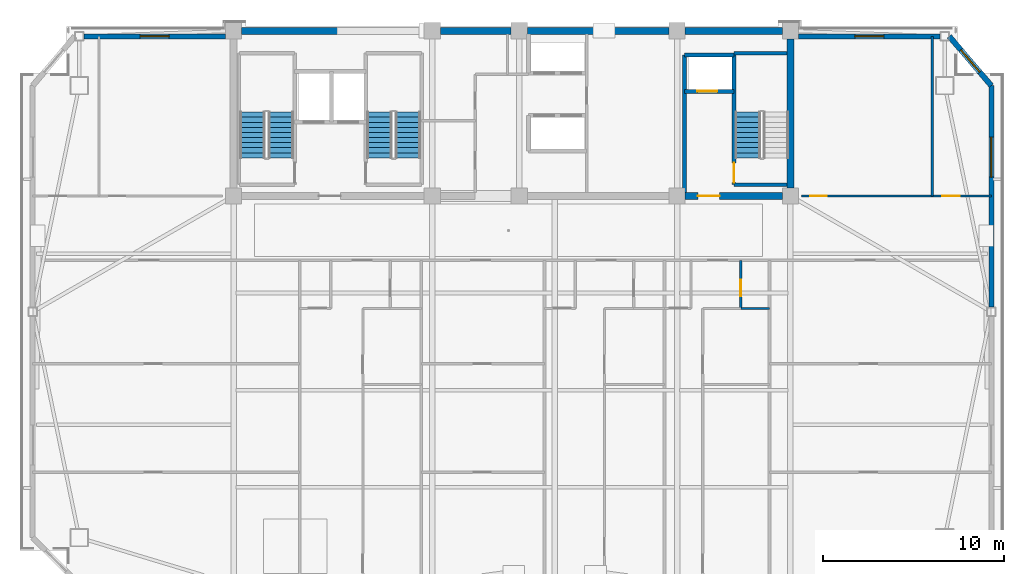
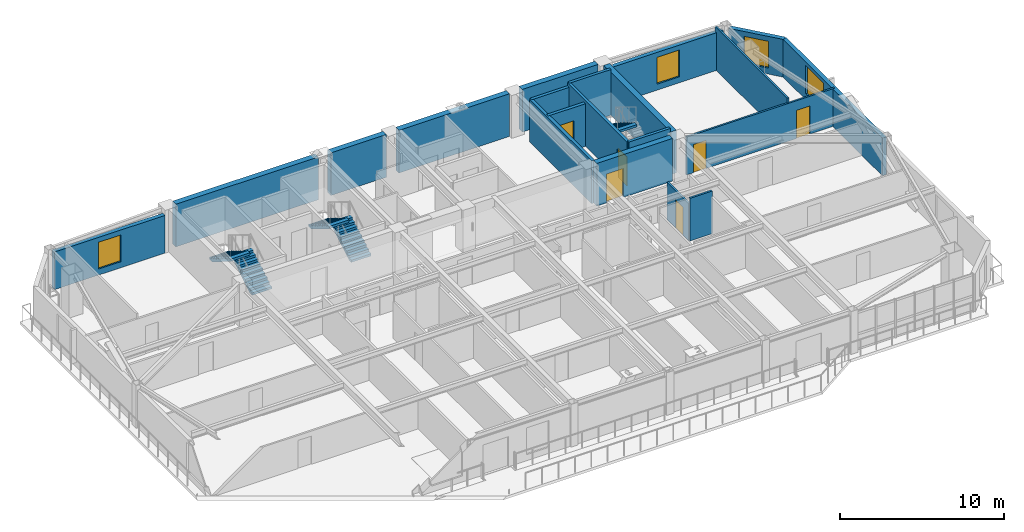
# One storey, part 11 of 18: 20 walls, 6 doors, 5 stair flights, 4 windows, 10 openings, 3 elements without a shape of their own.
"""IFC4 building model written with IfcOpenShell, lengths in metres."""

from ifc_helpers import new_model, si_unit, direction, frame, frame_2d, origin, place, context, subcontext, project, spatial, polyline, rectangle, outline, extrude, source, transform, mapped, material, layer, layer_set, type_object, element, fill, aggregate, save


model = new_model("IFC4")

# Units and contexts
model_context = context("Model", 3, precision=1e-05, world=origin(), true_north=direction((0.0, 1.0)))
body_context = subcontext(model_context, "Body", "Model", "MODEL_VIEW")
ifc_project = project(units=[si_unit("LENGTHUNIT", "METRE"), si_unit("AREAUNIT", "SQUARE_METRE"), si_unit("VOLUMEUNIT", "CUBIC_METRE"), si_unit("PLANEANGLEUNIT", "RADIAN"), si_unit("MASSUNIT", "GRAM", prefix="KILO")], contexts=[model_context])

# Site, building, storey
site_placement = place(None, origin())
site = spatial("IfcSite", under=ifc_project, at=site_placement, CompositionType="ELEMENT")
building_placement = place(site_placement, origin())
building = spatial("IfcBuilding", under=site, at=building_placement, Name="Giltprow Tower", CompositionType="ELEMENT")
storey_placement = place(building_placement, frame((0.0, 0.0, 262.10009765625)))
storey = spatial("IfcBuildingStorey", under=building, at=storey_placement, Name="L67", CompositionType="ELEMENT", Elevation=262.10009765625)

# Wall, opening, window
ifc_material_1 = material(Name="Precast concrete C40", Category="concrete")
ifc_layer_1 = layer(ifc_material_1, 0.300048828125, Name="Precast concrete C40")
ifc_layer_set_1 = layer_set([ifc_layer_1], Name="Precast concrete C40")
wall_type_1 = type_object("IfcWallType", Name="EW-NOTCH-CHAMFER-300", PredefinedType="SOLIDWALL", material=ifc_layer_set_1)
wall_1_placement = place(storey_placement, frame((61.6220703125, 43.530029296875, 0.0), z_axis=(0.0, 0.0, 1.0), x_axis=(-0.648803559951, 0.760955938669, 0.0)))
wall_1 = element("IfcWall", 1, at=wall_1_placement, inside=storey, type_object=wall_type_1, Name="L67 Corner Notch Wall NE", PredefinedType="SOLIDWALL", context=body_context, shape_type="SweptSolid", body=[
    extrude(rectangle(XDim=3.574462890625, YDim=0.300048828125, at=frame_2d((1.787109375, 0.0))), origin(), (0.0, 0.0, 1.0), 2.81494140625),
])
opening_1_placement = place(wall_1_placement, frame((0.987060546875, 0.0, 0.449951171875)))
opening_1 = element("IfcOpeningElement", 2, at=opening_1_placement, cuts=wall_1, Name="Opening WN17", PredefinedType="OPENING", context=body_context, shape_type="SweptSolid", body=[
    extrude(rectangle(XDim=1.60009765625, YDim=2.0, at=frame_2d((0.800048828125, 1.0))), frame((0.0, 0.159912109375, 0.0), z_axis=(0.0, -1.0, 0.0), x_axis=(1.0, 0.0, 0.0)), (0.0, 0.0, 1.0), 0.320068359375),
])
ifc_material_2 = material(Name="Insulated glass", Category="glass")
window_type_1 = type_object("IfcWindowType", Name="WN-COR-1600x2000", PartitioningType="SINGLE_PANEL", PredefinedType="WINDOW", material=ifc_material_2)
shared_shape_1 = source(origin(), body_context, "Body", "SweptSolid", [
    extrude(rectangle(XDim=1.60009765625, YDim=2.0, at=frame_2d((0.800048828125, 1.0))), frame((0.0, 0.030029296875, 0.0), z_axis=(0.0, -1.0, 0.0), x_axis=(1.0, 0.0, 0.0)), (0.0, 0.0, 1.0), 0.06005859375),
])
window_1_placement = place(opening_1_placement, origin())
window_1 = element("IfcWindow", 3, at=window_1_placement, inside=storey, type_object=window_type_1, Name="L67 Corner Notch Window NE", OverallHeight=2.0, OverallWidth=1.60009765625, PartitioningType="SINGLE_PANEL", PredefinedType="WINDOW", context=body_context, shape_type="MappedRepresentation", body=[
    mapped(shared_shape_1, transform((0.0, 0.0, 0.0), x_axis=(1.0, 0.0, 0.0), y_axis=(0.0, 1.0, 0.0), z_axis=(0.0, 0.0, 1.0), scale=1.0)),
])
fill(opening_1, window_1)

ifc_layer_2 = layer(ifc_material_1, 0.280029296875, Name="Precast concrete C40")
ifc_layer_set_2 = layer_set([ifc_layer_2], Name="Precast concrete C40")
wall_type_2 = type_object("IfcWallType", Name="EW-TOW-BRONZE-280", PredefinedType="SOLIDWALL", material=ifc_layer_set_2)
wall_2_placement = place(storey_placement, frame((61.6220703125, 31.322021484375, 0.0), z_axis=(0.0, 0.0, 1.0), x_axis=(0.0, 1.0, 0.0)))
wall_2 = element("IfcWall", 4, at=wall_2_placement, inside=storey, type_object=wall_type_2, Name="L67 E Wing Masonry Wall 2", PredefinedType="SOLIDWALL", context=body_context, shape_type="SweptSolid", body=[
    extrude(rectangle(XDim=12.2080078125, YDim=0.280029296875, at=frame_2d((6.10400390625, 0.0))), origin(), (0.0, 0.0, 1.0), 2.81494140625),
])
opening_2_placement = place(wall_2_placement, frame((7.1708984375, 0.0, 0.449951171875)))
opening_2 = element("IfcOpeningElement", 5, at=opening_2_placement, cuts=wall_2, Name="Opening WN27", PredefinedType="OPENING", context=body_context, shape_type="SweptSolid", body=[
    extrude(rectangle(XDim=2.199951171875, YDim=2.10009765625, at=frame_2d((1.10009765625, 1.050048828125))), frame((0.0, 0.14990234375, 0.0), z_axis=(0.0, -1.0, 0.0), x_axis=(1.0, 0.0, 0.0)), (0.0, 0.0, 1.0), 0.300048828125),
])
window_type_2 = type_object("IfcWindowType", Name="WN-RES-2200x2100", PartitioningType="TRIPLE_PANEL_VERTICAL", PredefinedType="WINDOW", material=ifc_material_2)
shared_shape_2 = source(origin(), body_context, "Body", "SweptSolid", [
    extrude(rectangle(XDim=2.199951171875, YDim=2.10009765625, at=frame_2d((1.10009765625, 1.050048828125))), frame((0.0, 0.030029296875, 0.0), z_axis=(0.0, -1.0, 0.0), x_axis=(1.0, 0.0, 0.0)), (0.0, 0.0, 1.0), 0.06005859375),
])
window_2_placement = place(opening_2_placement, origin())
window_2 = element("IfcWindow", 6, at=window_2_placement, inside=storey, type_object=window_type_2, Name="L67 E Wing Window 2-1", OverallHeight=2.10009765625, OverallWidth=2.199951171875, PartitioningType="SINGLE_PANEL", PredefinedType="WINDOW", context=body_context, shape_type="MappedRepresentation", body=[
    mapped(shared_shape_2, transform((0.0, 0.0, 0.0), x_axis=(1.0, 0.0, 0.0), y_axis=(0.0, 1.0, 0.0), z_axis=(0.0, 0.0, 1.0), scale=1.0)),
])
fill(opening_2, window_2)

wall_3_placement = place(storey_placement, frame((11.597900390625, 46.25, 0.0), z_axis=(0.0, 0.0, 1.0), x_axis=(1.0, 0.0, 0.0)))
wall_3 = element("IfcWall", 7, at=wall_3_placement, inside=storey, type_object=wall_type_2, Name="L67 North-West Wing Wall", PredefinedType="SOLIDWALL", context=body_context, shape_type="SweptSolid", body=[
    extrude(rectangle(XDim=7.802001953125, YDim=0.280029296875, at=frame_2d((3.90087890625, 0.0))), origin(), (0.0, 0.0, 1.0), 2.81494140625),
])
opening_3_placement = place(wall_3_placement, frame((3.10107421875, 0.0, 0.449951171875)))
opening_3 = element("IfcOpeningElement", 8, at=opening_3_placement, cuts=wall_3, Name="Opening WN17", PredefinedType="OPENING", context=body_context, shape_type="SweptSolid", body=[
    extrude(rectangle(XDim=1.60009765625, YDim=2.0, at=frame_2d((0.800048828125, 1.0))), frame((0.0, 0.14990234375, 0.0), z_axis=(0.0, -1.0, 0.0), x_axis=(1.0, 0.0, 0.0)), (0.0, 0.0, 1.0), 0.300048828125),
])
window_3_placement = place(opening_3_placement, origin())
window_3 = element("IfcWindow", 9, at=window_3_placement, inside=storey, type_object=window_type_1, Name="L67 North-West Window", OverallHeight=2.0, OverallWidth=1.60009765625, PartitioningType="SINGLE_PANEL", PredefinedType="WINDOW", context=body_context, shape_type="MappedRepresentation", body=[
    mapped(shared_shape_1, transform((0.0, 0.0, 0.0), x_axis=(1.0, 0.0, 0.0), y_axis=(0.0, 1.0, 0.0), z_axis=(0.0, 0.0, 1.0), scale=1.0)),
])
fill(opening_3, window_3)

wall_4_placement = place(storey_placement, frame((51.0, 46.25, 0.0), z_axis=(0.0, 0.0, 1.0), x_axis=(1.0, 0.0, 0.0)))
wall_4 = element("IfcWall", 10, at=wall_4_placement, inside=storey, type_object=wall_type_2, Name="L67 North-East Wing Wall", PredefinedType="SOLIDWALL", context=body_context, shape_type="SweptSolid", body=[
    extrude(rectangle(XDim=7.802978515625, YDim=0.280029296875, at=frame_2d((3.9013671875, 0.0))), origin(), (0.0, 0.0, 1.0), 2.81494140625),
])
opening_4_placement = place(wall_4_placement, frame((3.10107421875, 0.0, 0.449951171875)))
opening_4 = element("IfcOpeningElement", 11, at=opening_4_placement, cuts=wall_4, Name="Opening WN17", PredefinedType="OPENING", context=body_context, shape_type="SweptSolid", body=[
    extrude(rectangle(XDim=1.60009765625, YDim=2.0, at=frame_2d((0.800048828125, 1.0))), frame((0.0, 0.14990234375, 0.0), z_axis=(0.0, -1.0, 0.0), x_axis=(1.0, 0.0, 0.0)), (0.0, 0.0, 1.0), 0.300048828125),
])
window_4_placement = place(opening_4_placement, origin())
window_4 = element("IfcWindow", 12, at=window_4_placement, inside=storey, type_object=window_type_1, Name="L67 North-East Window", OverallHeight=2.0, OverallWidth=1.60009765625, PartitioningType="SINGLE_PANEL", PredefinedType="WINDOW", context=body_context, shape_type="MappedRepresentation", body=[
    mapped(shared_shape_1, transform((0.0, 0.0, 0.0), x_axis=(1.0, 0.0, 0.0), y_axis=(0.0, 1.0, 0.0), z_axis=(0.0, 0.0, 1.0), scale=1.0)),
])
fill(opening_4, window_4)

# Wall, opening, door
ifc_material_3 = material(Name="Concrete C40", Category="concrete")
ifc_layer_3 = layer(ifc_material_3, 0.219970703125, Name="Concrete C40")
ifc_layer_set_3 = layer_set([ifc_layer_3], Name="Concrete C40")
wall_type_3 = type_object("IfcWallType", Name="IW-SHAFT-220", PredefinedType="SOLIDWALL", material=ifc_layer_set_3)
wall_5_placement = place(storey_placement, frame((44.719970703125, 43.219970703125, 0.0), z_axis=(0.0, 0.0, 1.0), x_axis=(1.0, 0.0, 0.0)))
wall_5 = element("IfcWall", 13, at=wall_5_placement, inside=storey, type_object=wall_type_3, Name="L67 FFL2 Front Shaft Wall", PredefinedType="SOLIDWALL", context=body_context, shape_type="SweptSolid", body=[
    extrude(rectangle(XDim=2.719970703125, YDim=0.219970703125, at=frame_2d((1.35986328125, 0.0))), origin(), (0.0, 0.0, 1.0), 3.184814453125),
])
opening_5_placement = place(wall_5_placement, frame((0.699951171875, 0.0, 0.0)))
opening_5 = element("IfcOpeningElement", 14, at=opening_5_placement, cuts=wall_5, Name="Opening LD-11", PredefinedType="OPENING", context=body_context, shape_type="SweptSolid", body=[
    extrude(rectangle(XDim=1.10009765625, YDim=2.199951171875, at=frame_2d((0.550048828125, 1.10009765625))), frame((0.0, 0.119873046875, 0.0), z_axis=(0.0, -1.0, 0.0), x_axis=(1.0, 0.0, 0.0)), (0.0, 0.0, 1.0), 0.239990234375),
])
ifc_material_4 = material(Name="Stainless steel", Category="steel")
door_type_1 = type_object("IfcDoorType", Name="DR-LIFT-LD1100", OperationType="SLIDING_TO_LEFT", PredefinedType="DOOR", material=ifc_material_4)
shared_shape_3 = source(origin(), body_context, "Body", "SweptSolid", [
    extrude(rectangle(XDim=1.10009765625, YDim=2.199951171875, at=frame_2d((0.550048828125, 1.10009765625))), frame((0.0, 0.02490234375, 0.0), z_axis=(0.0, -1.0, 0.0), x_axis=(1.0, 0.0, 0.0)), (0.0, 0.0, 1.0), 0.050048828125),
])
door_1_placement = place(opening_5_placement, origin())
door_1 = element("IfcDoor", 15, at=door_1_placement, inside=storey, type_object=door_type_1, Name="L67 FFL2 Landing Door", OperationType="SLIDING_TO_LEFT", OverallHeight=2.199951171875, OverallWidth=1.10009765625, PredefinedType="DOOR", context=body_context, shape_type="MappedRepresentation", body=[
    mapped(shared_shape_3, transform((0.0, 0.0, 0.0), x_axis=(1.0, 0.0, 0.0), y_axis=(0.0, 1.0, 0.0), z_axis=(0.0, 0.0, 1.0), scale=1.0)),
])
fill(opening_5, door_1)

# Walls
wall_6_placement = place(storey_placement, frame((44.719970703125, 45.219970703125, 0.0), z_axis=(0.0, 0.0, 1.0), x_axis=(1.0, 0.0, 0.0)))
element("IfcWall", 16, at=wall_6_placement, inside=storey, type_object=wall_type_3, Name="L67 FFL2 Back Shaft Wall", PredefinedType="SOLIDWALL", context=body_context, shape_type="SweptSolid", body=[
    extrude(rectangle(XDim=2.719970703125, YDim=0.219970703125, at=frame_2d((1.35986328125, 0.0))), origin(), (0.0, 0.0, 1.0), 3.184814453125),
])
wall_7_placement = place(storey_placement, frame((44.719970703125, 37.6298828125, 0.0), z_axis=(0.0, 0.0, 1.0), x_axis=(0.0, 1.0, 0.0)))
element("IfcWall", 17, at=wall_7_placement, inside=storey, type_object=wall_type_3, Name="L67 East Firefighting Lobby West Wall", PredefinedType="SOLIDWALL", context=body_context, shape_type="SweptSolid", body=[
    extrude(rectangle(XDim=7.590087890625, YDim=0.219970703125, at=frame_2d((3.794921875, 0.0))), origin(), (0.0, 0.0, 1.0), 3.184814453125),
])

# Wall, opening, door
ifc_layer_4 = layer(ifc_material_3, 0.199951171875, Name="Concrete C40")
ifc_layer_set_4 = layer_set([ifc_layer_4], Name="Concrete C40")
wall_type_4 = type_object("IfcWallType", Name="IW-STAIR-200", PredefinedType="SOLIDWALL", material=ifc_layer_set_4)
wall_8_placement = place(storey_placement, frame((47.43994140625, 38.070068359375, 0.0), z_axis=(0.0, 0.0, 1.0), x_axis=(0.0, 1.0, 0.0)))
wall_8 = element("IfcWall", 18, at=wall_8_placement, inside=storey, type_object=wall_type_4, Name="L67 Stair ST-3 West Bearing Wall", PredefinedType="SOLIDWALL", context=body_context, shape_type="SweptSolid", body=[
    extrude(rectangle(XDim=7.25, YDim=0.199951171875, at=frame_2d((3.625, 0.0))), origin(), (0.0, 0.0, 1.0), 3.39990234375),
])
opening_6_placement = place(wall_8_placement, frame((0.110107421875, 0.0, 0.0)))
opening_6 = element("IfcOpeningElement", 19, at=opening_6_placement, cuts=wall_8, Name="Opening ID33", PredefinedType="OPENING", context=body_context, shape_type="SweptSolid", body=[
    extrude(rectangle(XDim=1.10009765625, YDim=2.14990234375, at=frame_2d((0.550048828125, 1.074951171875))), frame((0.0, 0.10986328125, 0.0), z_axis=(0.0, -1.0, 0.0), x_axis=(1.0, 0.0, 0.0)), (0.0, 0.0, 1.0), 0.219970703125),
])
ifc_material_5 = material(Name="Steel fire leaf", Category="steel")
door_type_2 = type_object("IfcDoorType", Name="DR-STAIR-1100", OperationType="SINGLE_SWING_LEFT", PredefinedType="DOOR", material=ifc_material_5)
shared_shape_4 = source(origin(), body_context, "Body", "SweptSolid", [
    extrude(rectangle(XDim=1.10009765625, YDim=2.14990234375, at=frame_2d((0.550048828125, 1.074951171875))), frame((0.0, 0.02490234375, 0.0), z_axis=(0.0, -1.0, 0.0), x_axis=(1.0, 0.0, 0.0)), (0.0, 0.0, 1.0), 0.050048828125),
])
door_2_placement = place(opening_6_placement, origin())
door_2 = element("IfcDoor", 20, at=door_2_placement, inside=storey, type_object=door_type_2, Name="L67 Stair ST-3 Fire Door", OperationType="SINGLE_SWING_RIGHT", OverallHeight=2.14990234375, OverallWidth=1.10009765625, PredefinedType="DOOR", context=body_context, shape_type="MappedRepresentation", body=[
    mapped(shared_shape_4, transform((0.0, 0.0, 0.0), x_axis=(1.0, 0.0, 0.0), y_axis=(0.0, 1.0, 0.0), z_axis=(0.0, 0.0, 1.0), scale=1.0)),
])
fill(opening_6, door_2)

# Walls
for number, where, z_axis, x_axis, name in (
    (21, (47.43994140625, 45.320068359375, 0.0), (0.0, 0.0, 1.0), (1.0, 0.0, 0.0), "L67 Stair ST-3 North Bearing Wall"),
    (22, (47.43994140625, 38.070068359375, 0.0), (0.0, 0.0, 1.0), (1.0, 0.0, 0.0), "L67 Stair ST-3 South Bearing Wall"),
):
    element("IfcWall", number, at=place(storey_placement, frame(where, z_axis=z_axis, x_axis=x_axis)), inside=storey, type_object=wall_type_4, Name=name, PredefinedType="SOLIDWALL", context=body_context, shape_type="SweptSolid", body=[
        extrude(rectangle(XDim=2.93017578125, YDim=0.199951171875, at=frame_2d((1.465087890625, 0.0))), origin(), (0.0, 0.0, 1.0), 3.39990234375),
    ])
ifc_material_6 = material(Name="Concrete C30", Category="concrete")
ifc_layer_5 = layer(ifc_material_6, 0.1298828125, Name="Concrete C30")
ifc_layer_set_5 = layer_set([ifc_layer_5], Name="Concrete C30")
wall_type_5 = type_object("IfcWallType", Name="IW-WET-130", PredefinedType="PARTITIONING", material=ifc_layer_set_5)
wall_9_placement = place(storey_placement, frame((47.820068359375, 31.25, 0.0), z_axis=(0.0, 0.0, 1.0), x_axis=(1.0, 0.0, 0.0)))
element("IfcWall", 23, at=wall_9_placement, inside=storey, type_object=wall_type_5, Name="L67 Unit 3 Bathroom South Wall", PredefinedType="PARTITIONING", context=body_context, shape_type="SweptSolid", body=[
    extrude(rectangle(XDim=1.579833984375, YDim=0.1298828125, at=frame_2d((0.7900390625, 0.0))), origin(), (0.0, 0.0, 1.0), 3.184814453125),
])

# Wall, opening, door
wall_10_placement = place(storey_placement, frame((47.820068359375, 31.25, 0.0), z_axis=(0.0, 0.0, 1.0), x_axis=(0.0, 1.0, 0.0)))
wall_10 = element("IfcWall", 24, at=wall_10_placement, inside=storey, type_object=wall_type_5, Name="L67 Unit 3 Bathroom West Wall", PredefinedType="PARTITIONING", context=body_context, shape_type="SweptSolid", body=[
    extrude(rectangle(XDim=2.64990234375, YDim=0.1298828125, at=frame_2d((1.324951171875, 0.0))), origin(), (0.0, 0.0, 1.0), 2.77001953125),
])
opening_7_placement = place(wall_10_placement, frame((0.669921875, 0.0, 0.0)))
opening_7 = element("IfcOpeningElement", 25, at=opening_7_placement, cuts=wall_10, Name="Opening ID15", PredefinedType="OPENING", context=body_context, shape_type="SweptSolid", body=[
    extrude(rectangle(XDim=0.89990234375, YDim=2.10009765625, at=frame_2d((0.449951171875, 1.050048828125))), frame((0.0, 0.074951171875, 0.0), z_axis=(0.0, -1.0, 0.0), x_axis=(1.0, 0.0, 0.0)), (0.0, 0.0, 1.0), 0.14990234375),
])
ifc_material_7 = material(Name="Engineered timber", Category="wood")
door_type_3 = type_object("IfcDoorType", Name="DR-WC-900", OperationType="SINGLE_SWING_LEFT", PredefinedType="DOOR", material=ifc_material_7)
shared_shape_5 = source(origin(), body_context, "Body", "SweptSolid", [
    extrude(rectangle(XDim=0.89990234375, YDim=2.10009765625, at=frame_2d((0.449951171875, 1.050048828125))), frame((0.0, 0.02490234375, 0.0), z_axis=(0.0, -1.0, 0.0), x_axis=(1.0, 0.0, 0.0)), (0.0, 0.0, 1.0), 0.050048828125),
])
door_3_placement = place(opening_7_placement, origin())
door_3 = element("IfcDoor", 26, at=door_3_placement, inside=storey, type_object=door_type_3, Name="L67 Unit 3 Bathroom Door", OperationType="SINGLE_SWING_RIGHT", OverallHeight=2.10009765625, OverallWidth=0.89990234375, PredefinedType="DOOR", context=body_context, shape_type="MappedRepresentation", body=[
    mapped(shared_shape_5, transform((0.0, 0.0, 0.0), x_axis=(1.0, 0.0, 0.0), y_axis=(0.0, 1.0, 0.0), z_axis=(0.0, 0.0, 1.0), scale=1.0)),
])
fill(opening_7, door_3)

# Wall, openings, doors
wall_11_placement = place(storey_placement, frame((51.14990234375, 37.449951171875, 0.0), z_axis=(0.0, 0.0, 1.0), x_axis=(1.0, 0.0, 0.0)))
wall_11 = element("IfcWall", 27, at=wall_11_placement, inside=storey, type_object=wall_type_5, Name="L67 NE Wing South Wall", PredefinedType="PARTITIONING", context=body_context, shape_type="SweptSolid", body=[
    extrude(rectangle(XDim=10.47216796875, YDim=0.1298828125, at=frame_2d((5.236083984375, 0.0))), origin(), (0.0, 0.0, 1.0), 2.81982421875),
])
opening_8_placement = place(wall_11_placement, frame((0.5, 0.0, 0.0)))
opening_8 = element("IfcOpeningElement", 28, at=opening_8_placement, cuts=wall_11, Name="Opening ID15", PredefinedType="OPENING", context=body_context, shape_type="SweptSolid", body=[
    extrude(rectangle(XDim=0.89990234375, YDim=2.10009765625, at=frame_2d((0.449951171875, 1.050048828125))), frame((0.0, 0.074951171875, 0.0), z_axis=(0.0, -1.0, 0.0), x_axis=(1.0, 0.0, 0.0)), (0.0, 0.0, 1.0), 0.14990234375),
])
opening_9_placement = place(wall_11_placement, frame((7.77001953125, 0.0, 0.0)))
opening_9 = element("IfcOpeningElement", 29, at=opening_9_placement, cuts=wall_11, Name="Opening ID11", PredefinedType="OPENING", context=body_context, shape_type="SweptSolid", body=[
    extrude(rectangle(XDim=0.949951171875, YDim=2.10009765625, at=frame_2d((0.47509765625, 1.050048828125))), frame((0.0, 0.074951171875, 0.0), z_axis=(0.0, -1.0, 0.0), x_axis=(1.0, 0.0, 0.0)), (0.0, 0.0, 1.0), 0.14990234375),
])
door_4_placement = place(opening_8_placement, origin())
door_4 = element("IfcDoor", 30, at=door_4_placement, inside=storey, type_object=door_type_3, Name="L67 East Wing Washroom Door", OperationType="SINGLE_SWING_RIGHT", OverallHeight=2.10009765625, OverallWidth=0.89990234375, PredefinedType="DOOR", context=body_context, shape_type="MappedRepresentation", body=[
    mapped(shared_shape_5, transform((0.0, 0.0, 0.0), x_axis=(1.0, 0.0, 0.0), y_axis=(0.0, 1.0, 0.0), z_axis=(0.0, 0.0, 1.0), scale=1.0)),
])
fill(opening_8, door_4)
door_type_4 = type_object("IfcDoorType", Name="DR-ROOM-950", OperationType="SINGLE_SWING_RIGHT", PredefinedType="DOOR", material=ifc_material_7)
shared_shape_6 = source(origin(), body_context, "Body", "SweptSolid", [
    extrude(rectangle(XDim=0.949951171875, YDim=2.10009765625, at=frame_2d((0.47509765625, 1.050048828125))), frame((0.0, 0.02490234375, 0.0), z_axis=(0.0, -1.0, 0.0), x_axis=(1.0, 0.0, 0.0)), (0.0, 0.0, 1.0), 0.050048828125),
])
door_5_placement = place(opening_9_placement, origin())
door_5 = element("IfcDoor", 31, at=door_5_placement, inside=storey, type_object=door_type_4, Name="L67 Residents Reading Lounge Door", OperationType="SINGLE_SWING_LEFT", OverallHeight=2.10009765625, OverallWidth=0.949951171875, PredefinedType="DOOR", context=body_context, shape_type="MappedRepresentation", body=[
    mapped(shared_shape_6, transform((0.0, 0.0, 0.0), x_axis=(1.0, 0.0, 0.0), y_axis=(0.0, 1.0, 0.0), z_axis=(0.0, 0.0, 1.0), scale=1.0)),
])
fill(opening_9, door_5)

# Walls
wall_12_placement = place(storey_placement, frame((58.3701171875, 37.449951171875, 0.0), z_axis=(0.0, 0.0, 1.0), x_axis=(0.0, 1.0, 0.0)))
element("IfcWall", 32, at=wall_12_placement, inside=storey, type_object=wall_type_5, Name="L67 NE Wing Divider", PredefinedType="PARTITIONING", context=body_context, shape_type="SweptSolid", body=[
    extrude(rectangle(XDim=8.800048828125, YDim=0.1298828125, at=frame_2d((4.39990234375, 0.0))), origin(), (0.0, 0.0, 1.0), 3.184814453125),
])
ifc_material_8 = material(Name="Concrete C45", Category="concrete")
ifc_layer_6 = layer(ifc_material_8, 0.39990234375, Name="Concrete C45")
ifc_layer_set_6 = layer_set([ifc_layer_6], Name="Concrete C45")
wall_type_6 = type_object("IfcWallType", Name="SW-EXT-400-C45", PredefinedType="SHEAR", material=ifc_layer_set_6)
wall_13_placement = place(storey_placement, frame((20.300048828125, 46.550048828125, 0.0), z_axis=(0.0, 0.0, 1.0), x_axis=(1.0, 0.0, 0.0)))
element("IfcWall", 33, at=wall_13_placement, inside=storey, type_object=wall_type_6, Name="L67 North Rear Core Shear Wall 1", PredefinedType="SHEAR", context=body_context, shape_type="SweptSolid", body=[
    extrude(rectangle(XDim=10.050048828125, YDim=0.39990234375, at=frame_2d((5.02490234375, 0.0))), origin(), (0.0, 0.0, 1.0), 3.184814453125),
])
wall_14_placement = place(storey_placement, frame((31.25, 46.550048828125, 0.0), z_axis=(0.0, 0.0, 1.0), x_axis=(1.0, 0.0, 0.0)))
element("IfcWall", 34, at=wall_14_placement, inside=storey, type_object=wall_type_6, Name="L67 North Rear Core Shear Wall 2", PredefinedType="SHEAR", context=body_context, shape_type="SweptSolid", body=[
    extrude(rectangle(XDim=3.89990234375, YDim=0.39990234375, at=frame_2d((1.949951171875, 0.0))), origin(), (0.0, 0.0, 1.0), 3.184814453125),
])
wall_15_placement = place(storey_placement, frame((36.050048828125, 46.550048828125, 0.0), z_axis=(0.0, 0.0, 1.0), x_axis=(1.0, 0.0, 0.0)))
element("IfcWall", 35, at=wall_15_placement, inside=storey, type_object=wall_type_6, Name="L67 North Rear Core Shear Wall 3", PredefinedType="SHEAR", context=body_context, shape_type="SweptSolid", body=[
    extrude(rectangle(XDim=7.800048828125, YDim=0.39990234375, at=frame_2d((3.89990234375, 0.0))), origin(), (0.0, 0.0, 1.0), 3.184814453125),
])
wall_16_placement = place(storey_placement, frame((44.75, 46.550048828125, 0.0), z_axis=(0.0, 0.0, 1.0), x_axis=(1.0, 0.0, 0.0)))
element("IfcWall", 36, at=wall_16_placement, inside=storey, type_object=wall_type_6, Name="L67 North Rear Core Shear Wall 4", PredefinedType="SHEAR", context=body_context, shape_type="SweptSolid", body=[
    extrude(rectangle(XDim=5.35009765625, YDim=0.39990234375, at=frame_2d((2.675048828125, 0.0))), origin(), (0.0, 0.0, 1.0), 3.184814453125),
])

# Wall, opening, door
ifc_layer_7 = layer(ifc_material_8, 0.39990234375, Name="Concrete C45")
ifc_layer_set_7 = layer_set([ifc_layer_7], Name="Concrete C45")
wall_type_7 = type_object("IfcWallType", Name="SW-INT-400-C45", PredefinedType="SHEAR", material=ifc_layer_set_7)
wall_17_placement = place(storey_placement, frame((44.75, 37.449951171875, 0.0), z_axis=(0.0, 0.0, 1.0), x_axis=(1.0, 0.0, 0.0)))
wall_17 = element("IfcWall", 37, at=wall_17_placement, inside=storey, type_object=wall_type_7, Name="L67 South Rear Core Shear Wall East", PredefinedType="SHEAR", context=body_context, shape_type="SweptSolid", body=[
    extrude(rectangle(XDim=5.35009765625, YDim=0.39990234375, at=frame_2d((2.675048828125, 0.0))), origin(), (0.0, 0.0, 1.0), 3.184814453125),
])
opening_10_placement = place(wall_17_placement, frame((0.699951171875, 0.0, 0.0)))
opening_10 = element("IfcOpeningElement", 38, at=opening_10_placement, cuts=wall_17, Name="Opening ID19", PredefinedType="OPENING", context=body_context, shape_type="SweptSolid", body=[
    extrude(rectangle(XDim=1.199951171875, YDim=2.14990234375, at=frame_2d((0.60009765625, 1.074951171875))), frame((0.0, 0.2099609375, 0.0), z_axis=(0.0, -1.0, 0.0), x_axis=(1.0, 0.0, 0.0)), (0.0, 0.0, 1.0), 0.419921875),
])
door_type_5 = type_object("IfcDoorType", Name="DR-FFLOBBY-1200", OperationType="SINGLE_SWING_RIGHT", PredefinedType="DOOR", material=ifc_material_5)
shared_shape_7 = source(origin(), body_context, "Body", "SweptSolid", [
    extrude(rectangle(XDim=1.199951171875, YDim=2.14990234375, at=frame_2d((0.60009765625, 1.074951171875))), frame((0.0, 0.02490234375, 0.0), z_axis=(0.0, -1.0, 0.0), x_axis=(1.0, 0.0, 0.0)), (0.0, 0.0, 1.0), 0.050048828125),
])
door_6_placement = place(opening_10_placement, origin())
door_6 = element("IfcDoor", 39, at=door_6_placement, inside=storey, type_object=door_type_5, Name="L67 East Firefighting Lobby Entry Door", OperationType="SINGLE_SWING_RIGHT", OverallHeight=2.14990234375, OverallWidth=1.199951171875, PredefinedType="DOOR", context=body_context, shape_type="MappedRepresentation", body=[
    mapped(shared_shape_7, transform((0.0, 0.0, 0.0), x_axis=(1.0, 0.0, 0.0), y_axis=(0.0, 1.0, 0.0), z_axis=(0.0, 0.0, 1.0), scale=1.0)),
])
fill(opening_10, door_6)

# Wall
wall_18_placement = place(storey_placement, frame((50.550048828125, 37.89990234375, 0.0), z_axis=(0.0, 0.0, 1.0), x_axis=(0.0, 1.0, 0.0)))
element("IfcWall", 40, at=wall_18_placement, inside=storey, type_object=wall_type_7, Name="L67 E Rear Core Shear Wall", PredefinedType="SHEAR", context=body_context, shape_type="SweptSolid", body=[
    extrude(rectangle(XDim=8.2001953125, YDim=0.39990234375, at=frame_2d((4.10009765625, 0.0))), origin(), (0.0, 0.0, 1.0), 3.184814453125),
])

# Stair, stair flights
stair_type_1 = type_object("IfcStairType", Name="STR-ST-1", PredefinedType="HALF_TURN_STAIR", material=ifc_material_3)
stair_1_placement = place(storey_placement, origin())
stair_1 = element("IfcStair", 41, at=stair_1_placement, inside=storey, type_object=stair_type_1, Name="L67 Core Exit Stair ST-1", PredefinedType="HALF_TURN_STAIR")
stair_flight_type_1 = type_object("IfcStairFlightType", Name="SFL-ST-1", PredefinedType="STRAIGHT", material=ifc_material_3)
stair_flight_1_placement = place(storey_placement, frame((22.4599609375, 39.550048828125, 0.0), z_axis=(0.0, 0.0, 1.0), x_axis=(0.0, 1.0, 0.0)))
stair_flight_1 = element("IfcStairFlight", 42, at=stair_flight_1_placement, type_object=stair_flight_type_1, Name="ST-1 flight 1", NumberOfRisers=10, NumberOfTreads=9, PredefinedType="STRAIGHT", RiserHeight=0.17, TreadLength=0.28, context=body_context, shape_type="SweptSolid", body=[
    extrude(outline(polyline([(0.0, 0.0), (0.0, 0.169921875), (0.280029296875, 0.169921875), (0.280029296875, 0.340087890625), (0.56005859375, 0.340087890625), (0.56005859375, 0.510009765625), (0.840087890625, 0.510009765625), (0.840087890625, 0.679931640625), (1.1201171875, 0.679931640625), (1.1201171875, 0.85009765625), (1.39990234375, 0.85009765625), (1.39990234375, 1.02001953125), (1.679931640625, 1.02001953125), (1.679931640625, 1.18994140625), (1.9599609375, 1.18994140625), (1.9599609375, 1.360107421875), (2.239990234375, 1.360107421875), (2.239990234375, 1.530029296875), (2.52001953125, 1.530029296875), (2.52001953125, 1.699951171875), (2.52001953125, 1.354736328125), (0.288818359375, 0.0), (0.0, 0.0)])), frame((0.0, 0.699951171875, 0.0), z_axis=(0.0, -1.0, 0.0), x_axis=(1.0, 0.0, 0.0)), (0.0, 0.0, 1.0), 1.39990234375),
])
stair_flight_2_placement = place(storey_placement, frame((20.89990234375, 42.070068359375, 1.699951171875), z_axis=(0.0, 0.0, 1.0), x_axis=(0.0, -1.0, 0.0)))
stair_flight_2 = element("IfcStairFlight", 43, at=stair_flight_2_placement, type_object=stair_flight_type_1, Name="ST-1 flight 2", NumberOfRisers=10, NumberOfTreads=9, PredefinedType="STRAIGHT", RiserHeight=0.17, TreadLength=0.28, context=body_context, shape_type="SweptSolid", body=[
    extrude(outline(polyline([(0.0, 0.0), (0.0, 0.169921875), (0.280029296875, 0.169921875), (0.280029296875, 0.340087890625), (0.56005859375, 0.340087890625), (0.56005859375, 0.510009765625), (0.840087890625, 0.510009765625), (0.840087890625, 0.679931640625), (1.1201171875, 0.679931640625), (1.1201171875, 0.85009765625), (1.39990234375, 0.85009765625), (1.39990234375, 1.02001953125), (1.679931640625, 1.02001953125), (1.679931640625, 1.18994140625), (1.9599609375, 1.18994140625), (1.9599609375, 1.360107421875), (2.239990234375, 1.360107421875), (2.239990234375, 1.530029296875), (2.52001953125, 1.530029296875), (2.52001953125, 1.699951171875), (2.52001953125, 1.354736328125), (0.288818359375, 0.0), (0.0, 0.0)])), frame((0.0, 0.699951171875, 0.0), z_axis=(0.0, -1.0, 0.0), x_axis=(1.0, 0.0, 0.0)), (0.0, 0.0, 1.0), 1.39990234375),
])
aggregate(stair_1, [stair_flight_1, stair_flight_2])

stair_type_2 = type_object("IfcStairType", Name="STR-ST-2", PredefinedType="HALF_TURN_STAIR", material=ifc_material_3)
stair_2_placement = place(storey_placement, origin())
stair_2 = element("IfcStair", 44, at=stair_2_placement, inside=storey, type_object=stair_type_2, Name="L67 Core Exit Stair ST-2", PredefinedType="HALF_TURN_STAIR")
stair_flight_type_2 = type_object("IfcStairFlightType", Name="SFL-ST-2", PredefinedType="STRAIGHT", material=ifc_material_3)
stair_flight_3_placement = place(storey_placement, frame((29.4599609375, 39.550048828125, 0.0), z_axis=(0.0, 0.0, 1.0), x_axis=(0.0, 1.0, 0.0)))
stair_flight_3 = element("IfcStairFlight", 45, at=stair_flight_3_placement, type_object=stair_flight_type_2, Name="ST-2 flight 1", NumberOfRisers=10, NumberOfTreads=9, PredefinedType="STRAIGHT", RiserHeight=0.17, TreadLength=0.28, context=body_context, shape_type="SweptSolid", body=[
    extrude(outline(polyline([(0.0, 0.0), (0.0, 0.169921875), (0.280029296875, 0.169921875), (0.280029296875, 0.340087890625), (0.56005859375, 0.340087890625), (0.56005859375, 0.510009765625), (0.840087890625, 0.510009765625), (0.840087890625, 0.679931640625), (1.1201171875, 0.679931640625), (1.1201171875, 0.85009765625), (1.39990234375, 0.85009765625), (1.39990234375, 1.02001953125), (1.679931640625, 1.02001953125), (1.679931640625, 1.18994140625), (1.9599609375, 1.18994140625), (1.9599609375, 1.360107421875), (2.239990234375, 1.360107421875), (2.239990234375, 1.530029296875), (2.52001953125, 1.530029296875), (2.52001953125, 1.699951171875), (2.52001953125, 1.354736328125), (0.288818359375, 0.0), (0.0, 0.0)])), frame((0.0, 0.699951171875, 0.0), z_axis=(0.0, -1.0, 0.0), x_axis=(1.0, 0.0, 0.0)), (0.0, 0.0, 1.0), 1.39990234375),
])
stair_flight_4_placement = place(storey_placement, frame((27.89990234375, 42.070068359375, 1.699951171875), z_axis=(0.0, 0.0, 1.0), x_axis=(0.0, -1.0, 0.0)))
stair_flight_4 = element("IfcStairFlight", 46, at=stair_flight_4_placement, type_object=stair_flight_type_2, Name="ST-2 flight 2", NumberOfRisers=10, NumberOfTreads=9, PredefinedType="STRAIGHT", RiserHeight=0.17, TreadLength=0.28, context=body_context, shape_type="SweptSolid", body=[
    extrude(outline(polyline([(0.0, 0.0), (0.0, 0.169921875), (0.280029296875, 0.169921875), (0.280029296875, 0.340087890625), (0.56005859375, 0.340087890625), (0.56005859375, 0.510009765625), (0.840087890625, 0.510009765625), (0.840087890625, 0.679931640625), (1.1201171875, 0.679931640625), (1.1201171875, 0.85009765625), (1.39990234375, 0.85009765625), (1.39990234375, 1.02001953125), (1.679931640625, 1.02001953125), (1.679931640625, 1.18994140625), (1.9599609375, 1.18994140625), (1.9599609375, 1.360107421875), (2.239990234375, 1.360107421875), (2.239990234375, 1.530029296875), (2.52001953125, 1.530029296875), (2.52001953125, 1.699951171875), (2.52001953125, 1.354736328125), (0.288818359375, 0.0), (0.0, 0.0)])), frame((0.0, 0.699951171875, 0.0), z_axis=(0.0, -1.0, 0.0), x_axis=(1.0, 0.0, 0.0)), (0.0, 0.0, 1.0), 1.39990234375),
])
aggregate(stair_2, [stair_flight_3, stair_flight_4])

# Stair, stair flight
stair_type_3 = type_object("IfcStairType", Name="STR-ST-3", PredefinedType="HALF_TURN_STAIR", material=ifc_material_3)
stair_3_placement = place(storey_placement, origin())
stair_3 = element("IfcStair", 47, at=stair_3_placement, inside=storey, type_object=stair_type_3, Name="L67 Core Exit Stair ST-3", PredefinedType="HALF_TURN_STAIR")
stair_flight_type_3 = type_object("IfcStairFlightType", Name="SFL-ST-3", PredefinedType="STRAIGHT", material=ifc_material_3)
stair_flight_5_placement = place(storey_placement, frame((48.199951171875, 42.070068359375, 1.699951171875), z_axis=(0.0, 0.0, 1.0), x_axis=(0.0, -1.0, 0.0)))
stair_flight_5 = element("IfcStairFlight", 48, at=stair_flight_5_placement, type_object=stair_flight_type_3, Name="ST-3 flight 2", NumberOfRisers=10, NumberOfTreads=9, PredefinedType="STRAIGHT", RiserHeight=0.17, TreadLength=0.28, context=body_context, shape_type="SweptSolid", body=[
    extrude(outline(polyline([(0.0, 0.0), (0.0, 0.169921875), (0.280029296875, 0.169921875), (0.280029296875, 0.340087890625), (0.56005859375, 0.340087890625), (0.56005859375, 0.510009765625), (0.840087890625, 0.510009765625), (0.840087890625, 0.679931640625), (1.1201171875, 0.679931640625), (1.1201171875, 0.85009765625), (1.39990234375, 0.85009765625), (1.39990234375, 1.02001953125), (1.679931640625, 1.02001953125), (1.679931640625, 1.18994140625), (1.9599609375, 1.18994140625), (1.9599609375, 1.360107421875), (2.239990234375, 1.360107421875), (2.239990234375, 1.530029296875), (2.52001953125, 1.530029296875), (2.52001953125, 1.699951171875), (2.52001953125, 1.354736328125), (0.288818359375, 0.0), (0.0, 0.0)])), frame((0.0, 0.699951171875, 0.0), z_axis=(0.0, -1.0, 0.0), x_axis=(1.0, 0.0, 0.0)), (0.0, 0.0, 1.0), 1.39990234375),
])
aggregate(stair_3, [stair_flight_5])

save(model, "model.ifc")
